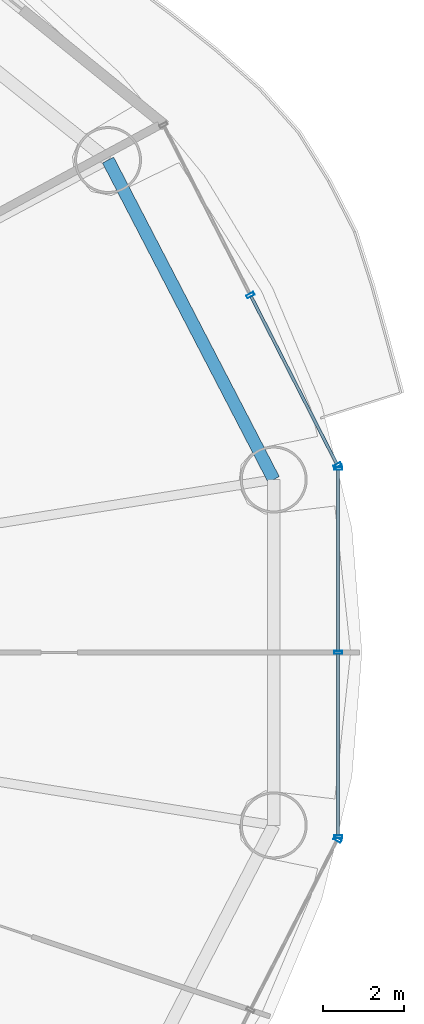
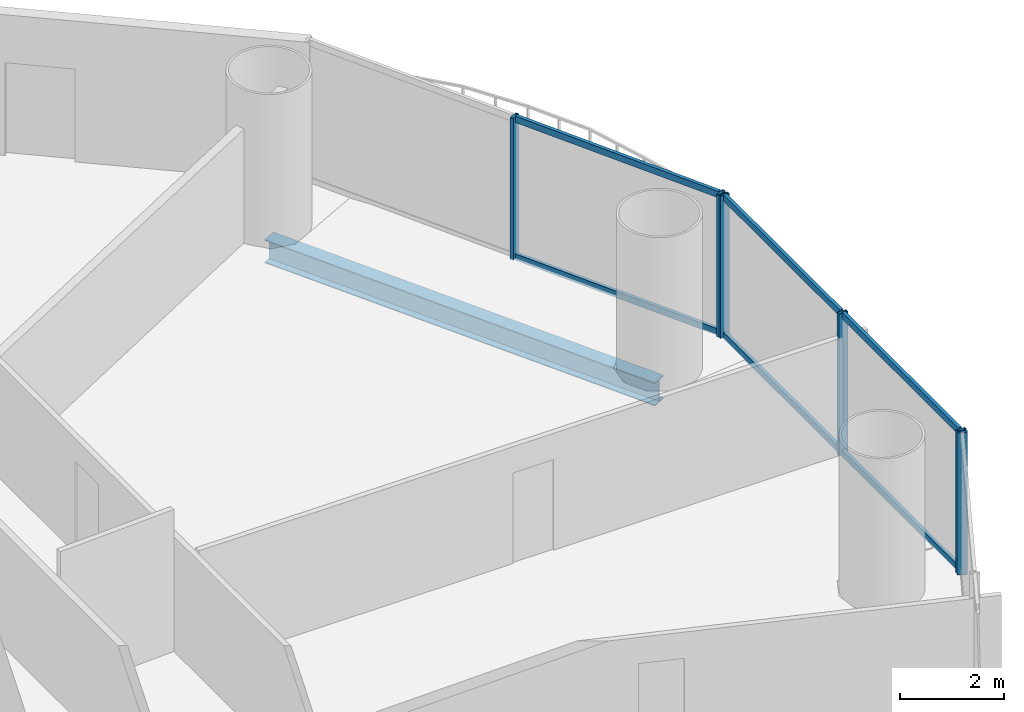
# One storey, part 15 of 30: 12 members, 1 beam, 3 elements without a shape of their own.
"""IFC4 building model written with IfcOpenShell, lengths in metres."""

from ifc_helpers import new_model, si_unit, direction, frame, origin, origin_2d, place, context, subcontext, project, spatial, hollow_rectangle, i_section, extrude, source, transform, mapped, material, material_profile, profile_set, type_object, element, aggregate, save


model = new_model("IFC4")

# Units and contexts
model_context = context("Model", 3, precision=1e-05, world=origin(), true_north=direction((-0.2419218956, 0.970295726276)))
body_context = subcontext(model_context, "Body", "Model", "MODEL_VIEW")
ifc_project = project(units=[si_unit("LENGTHUNIT", "METRE"), si_unit("AREAUNIT", "SQUARE_METRE"), si_unit("VOLUMEUNIT", "CUBIC_METRE"), si_unit("PLANEANGLEUNIT", "RADIAN"), si_unit("MASSUNIT", "GRAM", prefix="KILO")], contexts=[model_context])

# Site, building, storey
site_placement = place(None, origin())
site = spatial("IfcSite", under=ifc_project, at=site_placement, CompositionType="ELEMENT")
building_placement = place(site_placement, origin())
building = spatial("IfcBuilding", under=site, at=building_placement, Name="Cobrevalo Terracotta Tower", CompositionType="ELEMENT")
storey_placement = place(building_placement, frame((0.0, 0.0, 60.0)))
storey = spatial("IfcBuildingStorey", under=building, at=storey_placement, Name="L15", CompositionType="ELEMENT", Elevation=60.0)

# Beam
ifc_material_1 = material(Name="Steel S355", Category="steel")
ifc_material_profile_1 = material_profile(ifc_material_1, i_section(OverallWidth=0.31201171875, OverallDepth=0.54296875, WebThickness=0.0126953125, FlangeThickness=0.020263671875, at=origin_2d()), Name="W 530x150")
ifc_profile_set_1 = profile_set([ifc_material_profile_1], Name="Steel S355")
beam_type = type_object("IfcBeamType", Name="Structural Spandrel W 530x150 (Steel S355)", PredefinedType="SPANDREL", material=ifc_profile_set_1)
beam_placement = place(storey_placement, frame((64.824462890625, 31.062744140625, -0.551513671875), z_axis=(-0.460285838799, 0.88777077368, 0.0), x_axis=(-0.88777077368, -0.460285838799, 0.0)))
element("IfcBeam", 1, at=beam_placement, inside=storey, type_object=beam_type, Name="L15 perimeter ring spandrel 01", PredefinedType="SPANDREL", context=body_context, shape_type="SweptSolid", body=[
    extrude(i_section(OverallWidth=0.31201171875, OverallDepth=0.54296875, WebThickness=0.0126953125, FlangeThickness=0.020263671875, at=origin_2d()), origin(), (0.0, 0.0, 1.0), 8.8720703125),
])

# Curtain wall, members
ifc_material_2 = material(Name="Anodized aluminium", Category="aluminium")
curtain_wall_type = type_object("IfcCurtainWallType", Name="Lower-tower unitised acoustic low-E curtain wall CW-U1", PredefinedType="NOTDEFINED", material=ifc_material_2)
curtain_wall_1_placement = place(storey_placement, origin())
curtain_wall_1 = element("IfcCurtainWall", 2, at=curtain_wall_1_placement, inside=storey, type_object=curtain_wall_type, Name="L15 curtain wall CW-L15-S01", PredefinedType="NOTDEFINED")
ifc_material_profile_2 = material_profile(ifc_material_2, hollow_rectangle(XDim=0.074951171875, YDim=0.199951171875, WallThickness=0.0048828125, at=origin_2d()), Name="CWM 75x200")
ifc_profile_set_2 = profile_set([ifc_material_profile_2], Name="Anodized aluminium")
member_type_1 = type_object("IfcMemberType", Name="Lower/mid tower unitised mullion 75x200", PredefinedType="MULLION", material=ifc_profile_set_2)
shared_shape_1 = source(origin(), body_context, "Body", "SweptSolid", [
    extrude(hollow_rectangle(XDim=0.074951171875, YDim=0.199951171875, WallThickness=0.0048828125, at=origin_2d()), origin(), (0.0, 0.0, 1.0), 3.320068359375),
])
member_1_placement = place(storey_placement, frame((66.39501953125, 31.414306640625, 0.0), z_axis=(0.0, 0.0, 1.0), x_axis=(-0.455234136597, 0.890371765543, 0.0)))
member_1 = element("IfcMember", 3, at=member_1_placement, type_object=member_type_1, Name="CW-L15-S01 vertical mullion 01", PredefinedType="MULLION", context=body_context, shape_type="MappedRepresentation", body=[
    mapped(shared_shape_1, transform((0.0, 0.0, 0.0), scale=1.0)),
])
member_2_placement = place(storey_placement, frame((64.25048828125, 35.60888671875, 0.0), z_axis=(0.0, 0.0, 1.0), x_axis=(-0.455234136597, 0.890371765543, 0.0)))
member_2 = element("IfcMember", 4, at=member_2_placement, type_object=member_type_1, Name="CW-L15-S01 vertical mullion 02", PredefinedType="MULLION", context=body_context, shape_type="MappedRepresentation", body=[
    mapped(shared_shape_1, transform((0.0, 0.0, 0.0), scale=1.0)),
])

# Curtain wall, member
curtain_wall_2_placement = place(storey_placement, origin())
curtain_wall_2 = element("IfcCurtainWall", 5, at=curtain_wall_2_placement, inside=storey, type_object=curtain_wall_type, Name="L15 curtain wall CW-L15-S15", PredefinedType="NOTDEFINED")
member_3_placement = place(storey_placement, frame((66.39501953125, 22.185546875, 0.0), z_axis=(0.0, 0.0, 1.0), x_axis=(0.455234136597, 0.890371765543, 0.0)))
member_3 = element("IfcMember", 6, at=member_3_placement, type_object=member_type_1, Name="CW-L15-S15 vertical mullion 03", PredefinedType="MULLION", context=body_context, shape_type="MappedRepresentation", body=[
    mapped(shared_shape_1, transform((0.0, 0.0, 0.0), scale=1.0)),
])
aggregate(curtain_wall_2, [member_3])

# Curtain wall, members
curtain_wall_3_placement = place(storey_placement, origin())
curtain_wall_3 = element("IfcCurtainWall", 7, at=curtain_wall_3_placement, inside=storey, type_object=curtain_wall_type, Name="L15 curtain wall CW-L15-S16", PredefinedType="NOTDEFINED")
member_4_placement = place(storey_placement, frame((66.413330078125, 22.26123046875, 0.0), z_axis=(0.0, 0.0, 1.0), x_axis=(0.0, 1.0, 0.0)))
member_4 = element("IfcMember", 8, at=member_4_placement, type_object=member_type_1, Name="CW-L15-S16 vertical mullion 01", PredefinedType="MULLION", context=body_context, shape_type="MappedRepresentation", body=[
    mapped(shared_shape_1, transform((0.0, 0.0, 0.0), scale=1.0)),
])
member_5_placement = place(storey_placement, frame((66.413330078125, 26.800048828125, 0.0), z_axis=(0.0, 0.0, 1.0), x_axis=(0.0, 1.0, 0.0)))
member_5 = element("IfcMember", 9, at=member_5_placement, type_object=member_type_1, Name="CW-L15-S16 vertical mullion 02", PredefinedType="MULLION", context=body_context, shape_type="MappedRepresentation", body=[
    mapped(shared_shape_1, transform((0.0, 0.0, 0.0), scale=1.0)),
])
member_6_placement = place(storey_placement, frame((66.413330078125, 31.3388671875, 0.0), z_axis=(0.0, 0.0, 1.0), x_axis=(0.0, 1.0, 0.0)))
member_6 = element("IfcMember", 10, at=member_6_placement, type_object=member_type_1, Name="CW-L15-S16 vertical mullion 03", PredefinedType="MULLION", context=body_context, shape_type="MappedRepresentation", body=[
    mapped(shared_shape_1, transform((0.0, 0.0, 0.0), scale=1.0)),
])
ifc_material_profile_3 = material_profile(ifc_material_2, hollow_rectangle(XDim=0.074951171875, YDim=0.14990234375, WallThickness=0.00439453125, at=origin_2d()), Name="CWT 75x150")
ifc_profile_set_3 = profile_set([ifc_material_profile_3], Name="Anodized aluminium")
member_type_2 = type_object("IfcMemberType", Name="Tower unitised aluminium transom 75x150", PredefinedType="USERDEFINED", material=ifc_profile_set_3)
shared_shape_2 = source(origin(), body_context, "Body", "SweptSolid", [
    extrude(hollow_rectangle(XDim=0.074951171875, YDim=0.14990234375, WallThickness=0.00439453125, at=origin_2d()), origin(), (0.0, 0.0, 1.0), 4.458740234375),
])
member_7_placement = place(storey_placement, frame((66.413330078125, 22.30126953125, 0.050048828125), z_axis=(0.0, 1.0, 0.0), x_axis=(-1.0, 0.0, 0.0)))
member_7 = element("IfcMember", 11, at=member_7_placement, type_object=member_type_2, Name="CW-L15-S16 transom B01-T1", ObjectType="TRANSOM", PredefinedType="USERDEFINED", context=body_context, shape_type="MappedRepresentation", body=[
    mapped(shared_shape_2, transform((0.0, 0.0, 0.0), scale=1.0)),
])
member_8_placement = place(storey_placement, frame((66.413330078125, 22.30126953125, 3.27001953125), z_axis=(0.0, 1.0, 0.0), x_axis=(-1.0, 0.0, 0.0)))
member_8 = element("IfcMember", 12, at=member_8_placement, type_object=member_type_2, Name="CW-L15-S16 transom B01-T2", ObjectType="TRANSOM", PredefinedType="USERDEFINED", context=body_context, shape_type="MappedRepresentation", body=[
    mapped(shared_shape_2, transform((0.0, 0.0, 0.0), scale=1.0)),
])
member_9_placement = place(storey_placement, frame((66.413330078125, 26.840087890625, 0.050048828125), z_axis=(0.0, 1.0, 0.0), x_axis=(-1.0, 0.0, 0.0)))
member_9 = element("IfcMember", 13, at=member_9_placement, type_object=member_type_2, Name="CW-L15-S16 transom B02-T1", ObjectType="TRANSOM", PredefinedType="USERDEFINED", context=body_context, shape_type="MappedRepresentation", body=[
    mapped(shared_shape_2, transform((0.0, 0.0, 0.0), scale=1.0)),
])
member_10_placement = place(storey_placement, frame((66.413330078125, 26.840087890625, 3.27001953125), z_axis=(0.0, 1.0, 0.0), x_axis=(-1.0, 0.0, 0.0)))
member_10 = element("IfcMember", 14, at=member_10_placement, type_object=member_type_2, Name="CW-L15-S16 transom B02-T2", ObjectType="TRANSOM", PredefinedType="USERDEFINED", context=body_context, shape_type="MappedRepresentation", body=[
    mapped(shared_shape_2, transform((0.0, 0.0, 0.0), scale=1.0)),
])
aggregate(curtain_wall_3, [member_4, member_5, member_6, member_7, member_8, member_9, member_10])

# Member
shared_shape_3 = source(origin(), body_context, "Body", "SweptSolid", [
    extrude(hollow_rectangle(XDim=0.074951171875, YDim=0.14990234375, WallThickness=0.00439453125, at=origin_2d()), origin(), (0.0, 0.0, 1.0), 4.631103515625),
])
member_11_placement = place(storey_placement, frame((66.376953125, 31.449951171875, 0.050048828125), z_axis=(-0.455208584993, 0.890384829245, 0.0), x_axis=(-0.890384829245, -0.455208584993, 0.0)))
member_11 = element("IfcMember", 15, at=member_11_placement, type_object=member_type_2, Name="CW-L15-S01 transom B01-T1", ObjectType="TRANSOM", PredefinedType="USERDEFINED", context=body_context, shape_type="MappedRepresentation", body=[
    mapped(shared_shape_3, transform((0.0, 0.0, 0.0), scale=1.0)),
])

member_12_placement = place(storey_placement, frame((66.376953125, 31.449951171875, 3.27001953125), z_axis=(-0.455208584993, 0.890384829245, 0.0), x_axis=(-0.890384829245, -0.455208584993, 0.0)))
member_12 = element("IfcMember", 16, at=member_12_placement, type_object=member_type_2, Name="CW-L15-S01 transom B01-T2", ObjectType="TRANSOM", PredefinedType="USERDEFINED", context=body_context, shape_type="MappedRepresentation", body=[
    mapped(shared_shape_3, transform((0.0, 0.0, 0.0), scale=1.0)),
])

aggregate(curtain_wall_1, [member_1, member_2, member_11, member_12])

save(model, "model.ifc")
